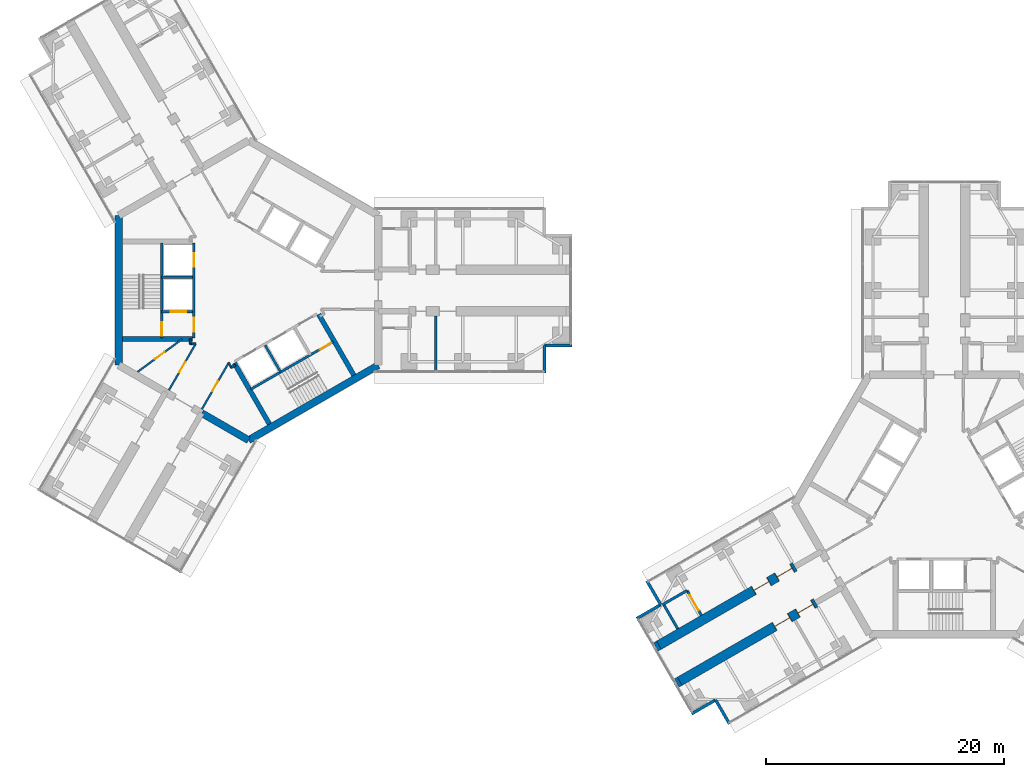
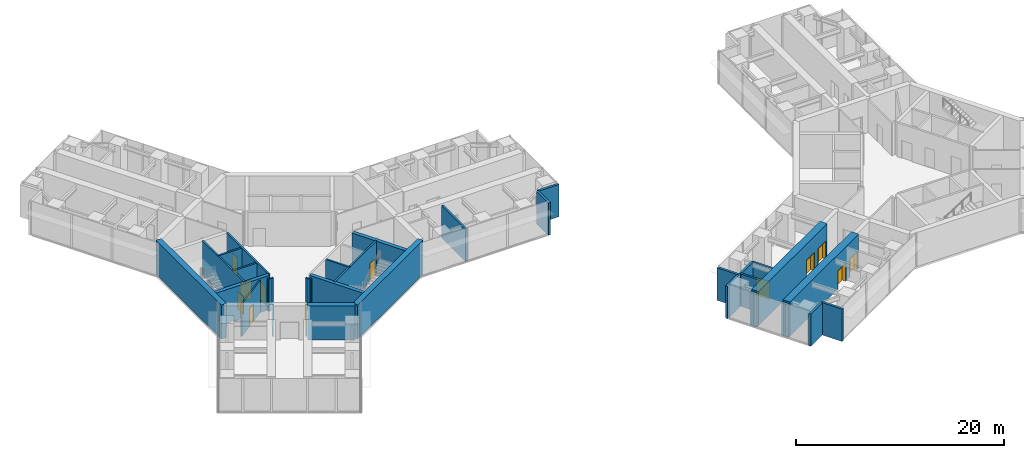
# One storey, part 15 of 21: 33 walls, 13 doors, 13 openings.
"""IFC4 building model written with IfcOpenShell, lengths in metres."""

from ifc_helpers import new_model, si_unit, direction, frame, frame_2d, origin, place, context, subcontext, project, spatial, rectangle, extrude, material, layer, layer_set, type_object, element, fill, save


model = new_model("IFC4")

# Units and contexts
model_context = context("Model", 3, precision=1e-05, world=origin(), true_north=direction((0.0, 1.0)))
body_context = subcontext(model_context, "Body", "Model", "MODEL_VIEW")
ifc_project = project(units=[si_unit("LENGTHUNIT", "METRE"), si_unit("AREAUNIT", "SQUARE_METRE"), si_unit("VOLUMEUNIT", "CUBIC_METRE"), si_unit("PLANEANGLEUNIT", "RADIAN"), si_unit("MASSUNIT", "GRAM", prefix="KILO")], contexts=[model_context])

# Site, building, storey
site_placement = place(None, origin())
site = spatial("IfcSite", under=ifc_project, at=site_placement, CompositionType="ELEMENT")
building_placement = place(site_placement, origin())
building = spatial("IfcBuilding", under=site, at=building_placement, Name="Upepo Twin Towers", CompositionType="ELEMENT")
storey_placement = place(building_placement, frame((0.0, 0.0, 105.5)))
storey = spatial("IfcBuildingStorey", under=building, at=storey_placement, Name="L25", CompositionType="ELEMENT", Elevation=105.5)

# Walls
ifc_material_1 = material(Name="Concrete blockwork, plastered both faces", Category="masonry")
ifc_layer_1 = layer(ifc_material_1, 0.215087890625)
ifc_layer_set_1 = layer_set([ifc_layer_1], Name="Blockwork partition 215")
wall_type_1 = type_object("IfcWallType", Name="Blockwork partition 215", PredefinedType="PARTITIONING", material=ifc_layer_set_1)
wall_1_placement = place(storey_placement, frame((15.75, -2.14990234375, 0.0), z_axis=(0.0, 0.0, 1.0), x_axis=(0.0, -1.0, 0.0)))
element("IfcWall", 1, at=wall_1_placement, inside=storey, type_object=wall_type_1, Name="T1 partition AR at 15.75", PredefinedType="PARTITIONING", context=body_context, shape_type="SweptSolid", body=[
    extrude(rectangle(XDim=4.60009765625, YDim=0.215087890625, at=frame_2d((2.300048828125, 0.0))), origin(), (0.0, 0.0, 1.0), 3.800048828125),
])
wall_2_placement = place(storey_placement, frame((36.869384765625, -25.234619140625, 0.0), z_axis=(0.0, 0.0, 1.0), x_axis=(-0.866050077142, -0.499957262057, 0.0)))
element("IfcWall", 2, at=wall_2_placement, inside=storey, type_object=wall_type_1, Name="T2 inner room partition BR at 22.35", PredefinedType="PARTITIONING", context=body_context, shape_type="SweptSolid", body=[
    extrude(rectangle(XDim=2.400146484375, YDim=0.215087890625, at=frame_2d((1.2001953125, 0.0))), origin(), (0.0, 0.0, 1.0), 3.800048828125),
])

# Wall, opening, door
wall_3_placement = place(storey_placement, frame((38.0693359375, -27.31298828125, 0.0), z_axis=(0.0, 0.0, 1.0), x_axis=(-0.500001309137, 0.866024647952, 0.0)))
wall_3 = element("IfcWall", 3, at=wall_3_placement, inside=storey, type_object=wall_type_1, Name="T2 inner room partition BR end at 22.35", PredefinedType="PARTITIONING", context=body_context, shape_type="SweptSolid", body=[
    extrude(rectangle(XDim=2.39990234375, YDim=0.215087890625, at=frame_2d((1.199951171875, 0.0))), origin(), (0.0, 0.0, 1.0), 3.800048828125),
])
opening_1_placement = place(wall_3_placement, frame((0.449951171875, 0.0, 0.0)))
opening_1 = element("IfcOpeningElement", 4, at=opening_1_placement, cuts=wall_3, Name="Opening D13", PredefinedType="OPENING", context=body_context, shape_type="SweptSolid", body=[
    extrude(rectangle(XDim=1.5, YDim=2.10009765625, at=frame_2d((0.75, 1.050048828125))), frame((0.0, 0.117431640625, 0.0), z_axis=(0.0, -1.0, 0.0), x_axis=(1.0, 0.0, 0.0)), (0.0, 0.0, 1.0), 0.235107421875),
])
ifc_material_2 = material(Name="Timber doorset", Category="wood")
door_type_1 = type_object("IfcDoorType", Name="Double door 1500 FD30", OperationType="DOUBLE_DOOR_SINGLE_SWING", PredefinedType="DOOR", material=ifc_material_2)
door_1_placement = place(opening_1_placement, origin())
door_1 = element("IfcDoor", 5, at=door_1_placement, inside=storey, type_object=door_type_1, Name="T2 L25 inner room door", OperationType="DOUBLE_DOOR_SINGLE_SWING", OverallHeight=2.10009765625, OverallWidth=1.5, PredefinedType="DOOR", context=body_context, shape_type="SweptSolid", body=[
    extrude(rectangle(XDim=1.5, YDim=2.10009765625, at=frame_2d((0.75, 1.050048828125))), frame((0.0, 0.02490234375, 0.0), z_axis=(0.0, -1.0, 0.0), x_axis=(1.0, 0.0, 0.0)), (0.0, 0.0, 1.0), 0.050048828125),
])
fill(opening_1, door_1)

# Walls
wall_4_placement = place(storey_placement, frame((36.083984375, -28.459228515625, 0.0), z_axis=(0.0, 0.0, 1.0), x_axis=(-0.500001309137, 0.866024647952, 0.0)))
element("IfcWall", 6, at=wall_4_placement, inside=storey, type_object=wall_type_1, Name="T2 inner room partition BR end at 24.75", PredefinedType="PARTITIONING", context=body_context, shape_type="SweptSolid", body=[
    extrude(rectangle(XDim=2.39990234375, YDim=0.215087890625, at=frame_2d((1.199951171875, 0.0))), origin(), (0.0, 0.0, 1.0), 3.800048828125),
])
ifc_material_3 = material(Name="Dense concrete blockwork", Category="masonry")
ifc_layer_2 = layer(ifc_material_3, 0.800048828125)
ifc_layer_set_2 = layer_set([ifc_layer_2], Name="Buttress closer 800, blockwork with fire-stopping to the curtain wall")
wall_type_2 = type_object("IfcWallType", Name="Buttress closer 800, blockwork with fire-stopping to the curtain wall", PredefinedType="PARTITIONING", material=ifc_layer_set_2)
wall_5_placement = place(storey_placement, frame((36.252197265625, -32.865478515625, 0.0), z_axis=(0.0, 0.0, 1.0), x_axis=(-0.865778900179, -0.500426713919, 0.0)))
element("IfcWall", 7, at=wall_5_placement, inside=storey, type_object=wall_type_2, Name="T2 L25 wing B buttress closer L", PredefinedType="PARTITIONING", context=body_context, shape_type="SweptSolid", body=[
    extrude(rectangle(XDim=0.300048828125, YDim=0.800048828125, at=frame_2d((0.14990234375, 0.0))), origin(), (0.0, 0.0, 1.0), 3.800048828125),
])
wall_6_placement = place(storey_placement, frame((34.502197265625, -29.83447265625, 0.0), z_axis=(0.0, 0.0, 1.0), x_axis=(-0.866131372301, -0.499816412211, 0.0)))
element("IfcWall", 8, at=wall_6_placement, inside=storey, type_object=wall_type_2, Name="T2 L25 wing B buttress closer R", PredefinedType="PARTITIONING", context=body_context, shape_type="SweptSolid", body=[
    extrude(rectangle(XDim=0.2998046875, YDim=0.800048828125, at=frame_2d((0.14990234375, 0.0))), origin(), (0.0, 0.0, 1.0), 3.800048828125),
])

# Wall, openings, doors
ifc_material_4 = material(Name="Concrete C60/75", Category="concrete")
ifc_layer_3 = layer(ifc_material_4, 0.800048828125)
ifc_layer_set_3 = layer_set([ifc_layer_3], Name="Concrete C60/75")
wall_type_3 = type_object("IfcWallType", Name="Buttress wall 800 RC", PredefinedType="SHEAR", material=ifc_layer_set_3)
wall_7_placement = place(storey_placement, frame((47.68359375, -26.265625, 0.0), z_axis=(0.0, 0.0, 1.0), x_axis=(-0.866027579429, -0.499996231654, 0.0)))
wall_7 = element("IfcWall", 9, at=wall_7_placement, inside=storey, type_object=wall_type_3, Name="T2 wing B buttress wall L part 2", PredefinedType="SHEAR", context=body_context, shape_type="SweptSolid", body=[
    extrude(rectangle(XDim=13.19970703125, YDim=0.800048828125, at=frame_2d((6.599853515625, 0.0))), origin(), (0.0, 0.0, 1.0), 4.0),
])
opening_2_placement = place(wall_7_placement, frame((0.25, 0.0, 0.0)))
opening_2 = element("IfcOpeningElement", 10, at=opening_2_placement, cuts=wall_7, Name="Opening D13", PredefinedType="OPENING", context=body_context, shape_type="SweptSolid", body=[
    extrude(rectangle(XDim=1.5, YDim=2.10009765625, at=frame_2d((0.75, 1.050048828125))), frame((0.0, 0.409912109375, 0.0), z_axis=(0.0, -1.0, 0.0), x_axis=(1.0, 0.0, 0.0)), (0.0, 0.0, 1.0), 0.820068359375),
])
opening_3_placement = place(wall_7_placement, frame((2.5, 0.0, 0.0)))
opening_3 = element("IfcOpeningElement", 11, at=opening_3_placement, cuts=wall_7, Name="Opening D13", PredefinedType="OPENING", context=body_context, shape_type="SweptSolid", body=[
    extrude(rectangle(XDim=1.5, YDim=2.10009765625, at=frame_2d((0.75, 1.050048828125))), frame((0.0, 0.409912109375, 0.0), z_axis=(0.0, -1.0, 0.0), x_axis=(1.0, 0.0, 0.0)), (0.0, 0.0, 1.0), 0.820068359375),
])
door_2_placement = place(opening_2_placement, origin())
door_2 = element("IfcDoor", 12, at=door_2_placement, inside=storey, type_object=door_type_1, Name="T2 L25 tutorial room door", OperationType="DOUBLE_DOOR_SINGLE_SWING", OverallHeight=2.10009765625, OverallWidth=1.5, PredefinedType="DOOR", context=body_context, shape_type="SweptSolid", body=[
    extrude(rectangle(XDim=1.42, YDim=2.06009765625, at=frame_2d((0.75, 1.030029296875))), frame((0.0, 0.02490234375, 0.0), z_axis=(0.0, -1.0, 0.0), x_axis=(1.0, 0.0, 0.0)), (0.0, 0.0, 1.0), 0.050048828125),
    extrude(rectangle(XDim=0.04, YDim=2.10009765625, at=frame_2d((0.02001953125, 1.050048828125))), frame((0.0, 0.39990234375, 0.0), z_axis=(0.0, -1.0, 0.0), x_axis=(1.0, 0.0, 0.0)), (0.0, 0.0, 1.0), 0.799560546875),
    extrude(rectangle(XDim=0.04, YDim=2.10009765625, at=frame_2d((1.47998046875, 1.050048828125))), frame((0.0, 0.39990234375, 0.0), z_axis=(0.0, -1.0, 0.0), x_axis=(1.0, 0.0, 0.0)), (0.0, 0.0, 1.0), 0.799560546875),
    extrude(rectangle(XDim=1.42, YDim=0.04, at=frame_2d((0.75, 2.080078125))), frame((0.0, 0.39990234375, 0.0), z_axis=(0.0, -1.0, 0.0), x_axis=(1.0, 0.0, 0.0)), (0.0, 0.0, 1.0), 0.799560546875),
])
fill(opening_2, door_2)
door_3_placement = place(opening_3_placement, origin())
door_3 = element("IfcDoor", 13, at=door_3_placement, inside=storey, type_object=door_type_1, Name="T2 L25 moot court door", OperationType="DOUBLE_DOOR_SINGLE_SWING", OverallHeight=2.10009765625, OverallWidth=1.5, PredefinedType="DOOR", context=body_context, shape_type="SweptSolid", body=[
    extrude(rectangle(XDim=1.42, YDim=2.06009765625, at=frame_2d((0.75, 1.030029296875))), frame((0.0, 0.02490234375, 0.0), z_axis=(0.0, -1.0, 0.0), x_axis=(1.0, 0.0, 0.0)), (0.0, 0.0, 1.0), 0.050048828125),
    extrude(rectangle(XDim=0.04, YDim=2.10009765625, at=frame_2d((0.02001953125, 1.050048828125))), frame((0.0, 0.39990234375, 0.0), z_axis=(0.0, -1.0, 0.0), x_axis=(1.0, 0.0, 0.0)), (0.0, 0.0, 1.0), 0.799560546875),
    extrude(rectangle(XDim=0.04, YDim=2.10009765625, at=frame_2d((1.47998046875, 1.050048828125))), frame((0.0, 0.39990234375, 0.0), z_axis=(0.0, -1.0, 0.0), x_axis=(1.0, 0.0, 0.0)), (0.0, 0.0, 1.0), 0.799560546875),
    extrude(rectangle(XDim=1.42, YDim=0.04, at=frame_2d((0.75, 2.080078125))), frame((0.0, 0.39990234375, 0.0), z_axis=(0.0, -1.0, 0.0), x_axis=(1.0, 0.0, 0.0)), (0.0, 0.0, 1.0), 0.799560546875),
])
fill(opening_3, door_3)

wall_8_placement = place(storey_placement, frame((45.93359375, -23.234375, 0.0), z_axis=(0.0, 0.0, 1.0), x_axis=(-0.866019570528, -0.500010103361, 0.0)))
wall_8 = element("IfcWall", 14, at=wall_8_placement, inside=storey, type_object=wall_type_3, Name="T2 wing B buttress wall R part 2", PredefinedType="SHEAR", context=body_context, shape_type="SweptSolid", body=[
    extrude(rectangle(XDim=13.199951171875, YDim=0.800048828125, at=frame_2d((6.60009765625, 0.0))), origin(), (0.0, 0.0, 1.0), 4.0),
])
opening_4_placement = place(wall_8_placement, frame((0.25, 0.0, 0.0)))
opening_4 = element("IfcOpeningElement", 15, at=opening_4_placement, cuts=wall_8, Name="Opening D13", PredefinedType="OPENING", context=body_context, shape_type="SweptSolid", body=[
    extrude(rectangle(XDim=1.5, YDim=2.10009765625, at=frame_2d((0.75, 1.050048828125))), frame((0.0, 0.409912109375, 0.0), z_axis=(0.0, -1.0, 0.0), x_axis=(1.0, 0.0, 0.0)), (0.0, 0.0, 1.0), 0.820068359375),
])
opening_5_placement = place(wall_8_placement, frame((2.5, 0.0, 0.0)))
opening_5 = element("IfcOpeningElement", 16, at=opening_5_placement, cuts=wall_8, Name="Opening D13", PredefinedType="OPENING", context=body_context, shape_type="SweptSolid", body=[
    extrude(rectangle(XDim=1.5, YDim=2.10009765625, at=frame_2d((0.75, 1.050048828125))), frame((0.0, 0.409912109375, 0.0), z_axis=(0.0, -1.0, 0.0), x_axis=(1.0, 0.0, 0.0)), (0.0, 0.0, 1.0), 0.820068359375),
])
door_4_placement = place(opening_4_placement, origin())
door_4 = element("IfcDoor", 17, at=door_4_placement, inside=storey, type_object=door_type_1, Name="T2 L25 moot court door", OperationType="DOUBLE_DOOR_SINGLE_SWING", OverallHeight=2.10009765625, OverallWidth=1.5, PredefinedType="DOOR", context=body_context, shape_type="SweptSolid", body=[
    extrude(rectangle(XDim=1.42, YDim=2.06009765625, at=frame_2d((0.75, 1.030029296875))), frame((0.0, 0.02490234375, 0.0), z_axis=(0.0, -1.0, 0.0), x_axis=(1.0, 0.0, 0.0)), (0.0, 0.0, 1.0), 0.050048828125),
    extrude(rectangle(XDim=0.04, YDim=2.10009765625, at=frame_2d((0.02001953125, 1.050048828125))), frame((0.0, 0.39990234375, 0.0), z_axis=(0.0, -1.0, 0.0), x_axis=(1.0, 0.0, 0.0)), (0.0, 0.0, 1.0), 0.799560546875),
    extrude(rectangle(XDim=0.04, YDim=2.10009765625, at=frame_2d((1.47998046875, 1.050048828125))), frame((0.0, 0.39990234375, 0.0), z_axis=(0.0, -1.0, 0.0), x_axis=(1.0, 0.0, 0.0)), (0.0, 0.0, 1.0), 0.799560546875),
    extrude(rectangle(XDim=1.42, YDim=0.04, at=frame_2d((0.75, 2.080078125))), frame((0.0, 0.39990234375, 0.0), z_axis=(0.0, -1.0, 0.0), x_axis=(1.0, 0.0, 0.0)), (0.0, 0.0, 1.0), 0.799560546875),
])
fill(opening_4, door_4)
door_5_placement = place(opening_5_placement, origin())
door_5 = element("IfcDoor", 18, at=door_5_placement, inside=storey, type_object=door_type_1, Name="T2 L25 moot court door", OperationType="DOUBLE_DOOR_SINGLE_SWING", OverallHeight=2.10009765625, OverallWidth=1.5, PredefinedType="DOOR", context=body_context, shape_type="SweptSolid", body=[
    extrude(rectangle(XDim=1.42, YDim=2.06009765625, at=frame_2d((0.75, 1.030029296875))), frame((0.0, 0.02490234375, 0.0), z_axis=(0.0, -1.0, 0.0), x_axis=(1.0, 0.0, 0.0)), (0.0, 0.0, 1.0), 0.050048828125),
    extrude(rectangle(XDim=0.04, YDim=2.10009765625, at=frame_2d((0.02001953125, 1.050048828125))), frame((0.0, 0.39990234375, 0.0), z_axis=(0.0, -1.0, 0.0), x_axis=(1.0, 0.0, 0.0)), (0.0, 0.0, 1.0), 0.799560546875),
    extrude(rectangle(XDim=0.04, YDim=2.10009765625, at=frame_2d((1.47998046875, 1.050048828125))), frame((0.0, 0.39990234375, 0.0), z_axis=(0.0, -1.0, 0.0), x_axis=(1.0, 0.0, 0.0)), (0.0, 0.0, 1.0), 0.799560546875),
    extrude(rectangle(XDim=1.42, YDim=0.04, at=frame_2d((0.75, 2.080078125))), frame((0.0, 0.39990234375, 0.0), z_axis=(0.0, -1.0, 0.0), x_axis=(1.0, 0.0, 0.0)), (0.0, 0.0, 1.0), 0.799560546875),
])
fill(opening_5, door_5)

# Walls
ifc_material_5 = material(Name="Concrete C60/75", Category="concrete")
ifc_layer_4 = layer(ifc_material_5, 0.60009765625)
ifc_layer_set_4 = layer_set([ifc_layer_4], Name="Concrete C60/75")
wall_type_4 = type_object("IfcWallType", Name="Core wall 600 RC", PredefinedType="SHEAR", material=ifc_layer_set_4)
wall_9_placement = place(storey_placement, frame((-10.908447265625, 6.2978515625, 0.0), z_axis=(0.0, 0.0, 1.0), x_axis=(0.0, -1.0, 0.0)))
element("IfcWall", 19, at=wall_9_placement, inside=storey, type_object=wall_type_4, Name="T1 core wall 180", PredefinedType="SHEAR", context=body_context, shape_type="SweptSolid", body=[
    extrude(rectangle(XDim=12.595703125, YDim=0.60009765625, at=frame_2d((6.2978515625, 0.0))), origin(), (0.0, 0.0, 1.0), 4.0),
])
wall_10_placement = place(storey_placement, frame((-3.938720703125, -10.32177734375, 0.0), z_axis=(0.0, 0.0, 1.0), x_axis=(0.866011268655, -0.500024481964, 0.0)))
element("IfcWall", 20, at=wall_10_placement, inside=storey, type_object=wall_type_4, Name="T1 core wall 240 L", PredefinedType="SHEAR", context=body_context, shape_type="SweptSolid", body=[
    extrude(rectangle(XDim=4.548095703125, YDim=0.60009765625, at=frame_2d((2.27392578125, 0.0))), origin(), (0.0, 0.0, 1.0), 4.0),
])
wall_11_placement = place(storey_placement, frame((0.0, -12.595947265625, 0.0), z_axis=(0.0, 0.0, 1.0), x_axis=(0.866021940709, 0.500005998175, 0.0)))
element("IfcWall", 21, at=wall_11_placement, inside=storey, type_object=wall_type_4, Name="T1 core wall 300", PredefinedType="SHEAR", context=body_context, shape_type="SweptSolid", body=[
    extrude(rectangle(XDim=12.595947265625, YDim=0.60009765625, at=frame_2d((6.2978515625, 0.0))), origin(), (0.0, 0.0, 1.0), 4.0),
])
ifc_material_6 = material(Name="Blockwork with anodised aluminium cladding", Category="masonry")
ifc_layer_5 = layer(ifc_material_6, 0.25)
ifc_layer_set_5 = layer_set([ifc_layer_5], Name="Notch cladding wall 250, pale metal")
wall_type_5 = type_object("IfcWallType", Name="Notch cladding wall 250, pale metal", PredefinedType="STANDARD", material=ifc_layer_set_5)
for number, where, z_axis, x_axis, name in (
    (22, (24.875, -6.949951171875, 0.0), (0.0, 0.0, 1.0), (0.0, 1.0, 0.0), "T1 L25 wing A notch wall R1"),
    (23, (24.875, -4.625, 0.0), (0.0, 0.0, 1.0), (1.0, 0.0, 0.0), "T1 L25 wing A notch wall R2"),
    (24, (40.4326171875, -36.456298828125, 0.0), (0.0, 0.0, 1.0), (-0.500046648681, 0.865998469481, 0.0), "T2 L25 wing B notch wall L1"),
    (25, (39.27001953125, -34.44287109375, 0.0), (0.0, 0.0, 1.0), (-0.865998469481, -0.500046648681, 0.0), "T2 L25 wing B notch wall L2"),
    (26, (33.482666015625, -24.418701171875, 0.0), (0.0, 0.0, 1.0), (0.499967891604, -0.866043940782, 0.0), "T2 L25 wing B notch wall R1"),
    (27, (34.64501953125, -26.43212890625, 0.0), (0.0, 0.0, 1.0), (-0.865998469481, -0.500046648681, 0.0), "T2 L25 wing B notch wall R2"),
):
    element("IfcWall", number, at=place(storey_placement, frame(where, z_axis=z_axis, x_axis=x_axis)), inside=storey, type_object=wall_type_5, Name=name, PredefinedType="STANDARD", context=body_context, shape_type="SweptSolid", body=[
        extrude(rectangle(XDim=2.324951171875, YDim=0.25, at=frame_2d((1.16259765625, 0.0))), origin(), (0.0, 0.0, 1.0), 3.800048828125),
    ])

# Wall, openings, doors
ifc_material_7 = material(Name="Concrete C40/50", Category="concrete")
ifc_layer_6 = layer(ifc_material_7, 0.199951171875)
ifc_layer_set_6 = layer_set([ifc_layer_6], Name="Concrete C40/50")
wall_type_6 = type_object("IfcWallType", Name="Shaft wall 200 RC", PredefinedType="SHEAR", material=ifc_layer_set_6)
wall_12_placement = place(storey_placement, frame((-4.60009765625, 4.0, 0.0), z_axis=(0.0, 0.0, 1.0), x_axis=(0.0, -1.0, 0.0)))
wall_12 = element("IfcWall", 28, at=wall_12_placement, inside=storey, type_object=wall_type_6, Name="T1 core W180 front wall", PredefinedType="SHEAR", context=body_context, shape_type="SweptSolid", body=[
    extrude(rectangle(XDim=8.0, YDim=0.199951171875, at=frame_2d((4.0, 0.0))), origin(), (0.0, 0.0, 1.0), 4.0),
])
opening_6_placement = place(wall_12_placement, frame((6.300048828125, 0.0, 0.0)))
opening_6 = element("IfcOpeningElement", 29, at=opening_6_placement, cuts=wall_12, Name="Opening D4", PredefinedType="OPENING", context=body_context, shape_type="SweptSolid", body=[
    extrude(rectangle(XDim=1.199951171875, YDim=2.10009765625, at=frame_2d((0.60009765625, 1.050048828125))), frame((0.0, 0.10986328125, 0.0), z_axis=(0.0, -1.0, 0.0), x_axis=(1.0, 0.0, 0.0)), (0.0, 0.0, 1.0), 0.219970703125),
])
opening_7_placement = place(wall_12_placement, frame((0.89990234375, 0.0, 0.0)))
opening_7 = element("IfcOpeningElement", 30, at=opening_7_placement, cuts=wall_12, Name="Opening LD1", PredefinedType="OPENING", context=body_context, shape_type="SweptSolid", body=[
    extrude(rectangle(XDim=1.10009765625, YDim=2.199951171875, at=frame_2d((0.550048828125, 1.10009765625))), frame((0.0, 0.10986328125, 0.0), z_axis=(0.0, -1.0, 0.0), x_axis=(1.0, 0.0, 0.0)), (0.0, 0.0, 1.0), 0.219970703125),
])
ifc_material_8 = material(Name="Steel doorset", Category="steel")
door_type_2 = type_object("IfcDoorType", Name="Lift landing door 1100", OperationType="DOUBLE_DOOR_SLIDING", PredefinedType="DOOR", material=ifc_material_8)
door_6_placement = place(opening_7_placement, origin())
door_6 = element("IfcDoor", 31, at=door_6_placement, inside=storey, type_object=door_type_2, Name="T1 L25 lift SV1 landing door", OperationType="DOUBLE_DOOR_SLIDING", OverallHeight=2.199951171875, OverallWidth=1.10009765625, PredefinedType="DOOR", context=body_context, shape_type="SweptSolid", body=[
    extrude(rectangle(XDim=1.10009765625, YDim=2.199951171875, at=frame_2d((0.550048828125, 1.10009765625))), frame((0.0, 0.02490234375, 0.0), z_axis=(0.0, -1.0, 0.0), x_axis=(1.0, 0.0, 0.0)), (0.0, 0.0, 1.0), 0.050048828125),
])
fill(opening_7, door_6)
ifc_material_9 = material(Name="Timber doorset", Category="wood")
door_type_3 = type_object("IfcDoorType", Name="Lobby door 1200 FD60", OperationType="SINGLE_SWING_LEFT", PredefinedType="DOOR", material=ifc_material_9)
door_7_placement = place(opening_6_placement, origin())
door_7 = element("IfcDoor", 32, at=door_7_placement, inside=storey, type_object=door_type_3, Name="T1 L25 W180 lobby door", OperationType="SINGLE_SWING_RIGHT", OverallHeight=2.10009765625, OverallWidth=1.199951171875, PredefinedType="DOOR", context=body_context, shape_type="SweptSolid", body=[
    extrude(rectangle(XDim=1.199951171875, YDim=2.10009765625, at=frame_2d((0.60009765625, 1.050048828125))), frame((0.0, 0.02490234375, 0.0), z_axis=(0.0, -1.0, 0.0), x_axis=(1.0, 0.0, 0.0)), (0.0, 0.0, 1.0), 0.050048828125),
])
fill(opening_6, door_7)

# Wall
wall_13_placement = place(storey_placement, frame((-4.699951171875, 1.10009765625, 0.0), z_axis=(0.0, 0.0, 1.0), x_axis=(-1.0, 0.0, 0.0)))
element("IfcWall", 33, at=wall_13_placement, inside=storey, type_object=wall_type_6, Name="T1 core W180 shaft divider", PredefinedType="SHEAR", context=body_context, shape_type="SweptSolid", body=[
    extrude(rectangle(XDim=2.60009765625, YDim=0.199951171875, at=frame_2d((1.300048828125, 0.0))), origin(), (0.0, 0.0, 1.0), 4.0),
])

# Wall, opening, door
wall_14_placement = place(storey_placement, frame((-4.699951171875, -1.800048828125, 0.0), z_axis=(0.0, 0.0, 1.0), x_axis=(-1.0, 0.0, 0.0)))
wall_14 = element("IfcWall", 34, at=wall_14_placement, inside=storey, type_object=wall_type_6, Name="T1 core W180 lobby wall", PredefinedType="SHEAR", context=body_context, shape_type="SweptSolid", body=[
    extrude(rectangle(XDim=2.60009765625, YDim=0.199951171875, at=frame_2d((1.300048828125, 0.0))), origin(), (0.0, 0.0, 1.0), 4.0),
])
opening_8_placement = place(wall_14_placement, frame((0.550048828125, 0.0, 0.0)))
opening_8 = element("IfcOpeningElement", 35, at=opening_8_placement, cuts=wall_14, Name="Opening LD2", PredefinedType="OPENING", context=body_context, shape_type="SweptSolid", body=[
    extrude(rectangle(XDim=1.300048828125, YDim=2.199951171875, at=frame_2d((0.64990234375, 1.10009765625))), frame((0.0, 0.10986328125, 0.0), z_axis=(0.0, -1.0, 0.0), x_axis=(1.0, 0.0, 0.0)), (0.0, 0.0, 1.0), 0.219970703125),
])
ifc_material_10 = material(Name="Steel doorset", Category="steel")
door_type_4 = type_object("IfcDoorType", Name="Firefighting lift landing door 1300", OperationType="DOUBLE_DOOR_SLIDING", PredefinedType="DOOR", material=ifc_material_10)
door_8_placement = place(opening_8_placement, origin())
door_8 = element("IfcDoor", 36, at=door_8_placement, inside=storey, type_object=door_type_4, Name="T1 L25 firefighting lift landing door", OperationType="DOUBLE_DOOR_SLIDING", OverallHeight=2.199951171875, OverallWidth=1.300048828125, PredefinedType="DOOR", context=body_context, shape_type="SweptSolid", body=[
    extrude(rectangle(XDim=1.300048828125, YDim=2.199951171875, at=frame_2d((0.64990234375, 1.10009765625))), frame((0.0, 0.02490234375, 0.0), z_axis=(0.0, -1.0, 0.0), x_axis=(1.0, 0.0, 0.0)), (0.0, 0.0, 1.0), 0.050048828125),
])
fill(opening_8, door_8)

wall_15_placement = place(storey_placement, frame((-7.300048828125, 4.0, 0.0), z_axis=(0.0, 0.0, 1.0), x_axis=(0.0, -1.0, 0.0)))
wall_15 = element("IfcWall", 37, at=wall_15_placement, inside=storey, type_object=wall_type_6, Name="T1 core W180 stair wall", PredefinedType="SHEAR", context=body_context, shape_type="SweptSolid", body=[
    extrude(rectangle(XDim=8.0, YDim=0.199951171875, at=frame_2d((4.0, 0.0))), origin(), (0.0, 0.0, 1.0), 4.0),
])
opening_9_placement = place(wall_15_placement, frame((6.699951171875, 0.0, 0.0)))
opening_9 = element("IfcOpeningElement", 38, at=opening_9_placement, cuts=wall_15, Name="Opening D3", PredefinedType="OPENING", context=body_context, shape_type="SweptSolid", body=[
    extrude(rectangle(XDim=1.10009765625, YDim=2.10009765625, at=frame_2d((0.550048828125, 1.050048828125))), frame((0.0, 0.10986328125, 0.0), z_axis=(0.0, -1.0, 0.0), x_axis=(1.0, 0.0, 0.0)), (0.0, 0.0, 1.0), 0.219970703125),
])
ifc_material_11 = material(Name="Timber doorset", Category="wood")
door_type_5 = type_object("IfcDoorType", Name="Stair door 1100 FD60", OperationType="SINGLE_SWING_LEFT", PredefinedType="DOOR", material=ifc_material_11)
door_9_placement = place(opening_9_placement, origin())
door_9 = element("IfcDoor", 39, at=door_9_placement, inside=storey, type_object=door_type_5, Name="T1 L25 stair door", OperationType="SINGLE_SWING_RIGHT", OverallHeight=2.10009765625, OverallWidth=1.10009765625, PredefinedType="DOOR", context=body_context, shape_type="SweptSolid", body=[
    extrude(rectangle(XDim=1.10009765625, YDim=2.10009765625, at=frame_2d((0.550048828125, 1.050048828125))), frame((0.0, 0.02490234375, 0.0), z_axis=(0.0, -1.0, 0.0), x_axis=(1.0, 0.0, 0.0)), (0.0, 0.0, 1.0), 0.050048828125),
])
fill(opening_9, door_9)

# Wall
wall_16_placement = place(storey_placement, frame((1.3974609375, -4.620361328125, 0.0), z_axis=(0.0, 0.0, 1.0), x_axis=(0.499936506574, -0.866062058628, 0.0)))
element("IfcWall", 40, at=wall_16_placement, inside=storey, type_object=wall_type_6, Name="T1 core W300 shaft divider", PredefinedType="SHEAR", context=body_context, shape_type="SweptSolid", body=[
    extrude(rectangle(XDim=2.599853515625, YDim=0.199951171875, at=frame_2d((1.2998046875, 0.0))), origin(), (0.0, 0.0, 1.0), 4.0),
])

# Wall, opening, door
wall_17_placement = place(storey_placement, frame((0.185791015625, -8.322021484375, 0.0), z_axis=(0.0, 0.0, 1.0), x_axis=(0.866026010844, 0.49999894854, 0.0)))
wall_17 = element("IfcWall", 41, at=wall_17_placement, inside=storey, type_object=wall_type_6, Name="T1 core W300 stair wall", PredefinedType="SHEAR", context=body_context, shape_type="SweptSolid", body=[
    extrude(rectangle(XDim=8.0, YDim=0.199951171875, at=frame_2d((4.0, 0.0))), origin(), (0.0, 0.0, 1.0), 4.0),
])
opening_10_placement = place(wall_17_placement, frame((6.699951171875, 0.0, 0.0)))
opening_10 = element("IfcOpeningElement", 42, at=opening_10_placement, cuts=wall_17, Name="Opening D3", PredefinedType="OPENING", context=body_context, shape_type="SweptSolid", body=[
    extrude(rectangle(XDim=1.10009765625, YDim=2.10009765625, at=frame_2d((0.550048828125, 1.050048828125))), frame((0.0, 0.10986328125, 0.0), z_axis=(0.0, -1.0, 0.0), x_axis=(1.0, 0.0, 0.0)), (0.0, 0.0, 1.0), 0.219970703125),
])
door_10_placement = place(opening_10_placement, origin())
door_10 = element("IfcDoor", 43, at=door_10_placement, inside=storey, type_object=door_type_5, Name="T1 L25 stair door", OperationType="SINGLE_SWING_RIGHT", OverallHeight=2.10009765625, OverallWidth=1.10009765625, PredefinedType="DOOR", context=body_context, shape_type="SweptSolid", body=[
    extrude(rectangle(XDim=1.10009765625, YDim=2.10009765625, at=frame_2d((0.550048828125, 1.050048828125))), frame((0.0, 0.02490234375, 0.0), z_axis=(0.0, -1.0, 0.0), x_axis=(1.0, 0.0, 0.0)), (0.0, 0.0, 1.0), 0.050048828125),
])
fill(opening_10, door_10)

# Walls
ifc_material_12 = material(Name="Concrete C40/50", Category="concrete")
ifc_layer_7 = layer(ifc_material_12, 0.39990234375)
ifc_layer_set_7 = layer_set([ifc_layer_7], Name="Concrete C40/50")
wall_type_7 = type_object("IfcWallType", Name="Shaft wall 400 RC", PredefinedType="SHEAR", material=ifc_layer_set_7)
for number, where, z_axis, x_axis, name in (
    (44, (-4.699951171875, -4.10009765625, 0.0), (0.0, 0.0, 1.0), (-1.0, 0.0, 0.0), "T1 core W180 side wall N"),
    (45, (5.900634765625, -2.020263671875, 0.0), (0.0, 0.0, 1.0), (0.500027676417, -0.866009424208, 0.0), "T1 core W300 side wall N"),
):
    element("IfcWall", number, at=place(storey_placement, frame(where, z_axis=z_axis, x_axis=x_axis)), inside=storey, type_object=wall_type_7, Name=name, PredefinedType="SHEAR", context=body_context, shape_type="SweptSolid", body=[
        extrude(rectangle(XDim=5.908447265625, YDim=0.39990234375, at=frame_2d((2.9541015625, 0.0))), origin(), (0.0, 0.0, 1.0), 4.0),
    ])
wall_18_placement = place(storey_placement, frame((-1.20068359375, -6.120361328125, 0.0), z_axis=(0.0, 0.0, 1.0), x_axis=(0.49999668571, -0.866027317282, 0.0)))
element("IfcWall", 46, at=wall_18_placement, inside=storey, type_object=wall_type_7, Name="T1 core W300 side wall S", PredefinedType="SHEAR", context=body_context, shape_type="SweptSolid", body=[
    extrude(rectangle(XDim=5.908203125, YDim=0.39990234375, at=frame_2d((2.9541015625, 0.0))), origin(), (0.0, 0.0, 1.0), 4.0),
])
ifc_material_13 = material(Name="Gypsum board on steel studs", Category="steel")
ifc_layer_8 = layer(ifc_material_13, 0.14990234375)
ifc_layer_set_8 = layer_set([ifc_layer_8], Name="Teaching partition 150 acoustic")
wall_type_8 = type_object("IfcWallType", Name="Teaching partition 150 acoustic", PredefinedType="PARTITIONING", material=ifc_layer_set_8)
wall_19_placement = place(storey_placement, frame((-1.092041015625, -6.28857421875, 0.0), z_axis=(0.0, 0.0, 1.0), x_axis=(-0.866138304741, -0.499804398801, 0.0)))
element("IfcWall", 47, at=wall_19_placement, inside=storey, type_object=wall_type_8, Name="T1 core room partition 2", PredefinedType="PARTITIONING", context=body_context, shape_type="SweptSolid", body=[
    extrude(rectangle(XDim=0.429931640625, YDim=0.14990234375, at=frame_2d((0.21484375, 0.0))), origin(), (0.0, 0.0, 1.0), 3.800048828125),
])
wall_20_placement = place(storey_placement, frame((-1.43701171875, -6.5107421875, 0.0), z_axis=(0.0, 0.0, 1.0), x_axis=(-0.50033519877, 0.865831790172, 0.0)))
element("IfcWall", 48, at=wall_20_placement, inside=storey, type_object=wall_type_8, Name="T1 core room partition 3", PredefinedType="PARTITIONING", context=body_context, shape_type="SweptSolid", body=[
    extrude(rectangle(XDim=0.494384765625, YDim=0.14990234375, at=frame_2d((0.2470703125, 0.0))), origin(), (0.0, 0.0, 1.0), 3.800048828125),
])

# Wall, opening, door
wall_21_placement = place(storey_placement, frame((-1.664306640625, -6.082763671875, 0.0), z_axis=(0.0, 0.0, 1.0), x_axis=(-0.500032713409, -0.866006515865, 0.0)))
wall_21 = element("IfcWall", 49, at=wall_21_placement, inside=storey, type_object=wall_type_8, Name="T1 core room partition 4", PredefinedType="PARTITIONING", context=body_context, shape_type="SweptSolid", body=[
    extrude(rectangle(XDim=4.518310546875, YDim=0.14990234375, at=frame_2d((2.25927734375, 0.0))), origin(), (0.0, 0.0, 1.0), 3.800048828125),
])
opening_11_placement = place(wall_21_placement, frame((1.769287109375, 0.0, 0.0)))
opening_11 = element("IfcOpeningElement", 50, at=opening_11_placement, cuts=wall_21, Name="Opening D1", PredefinedType="OPENING", context=body_context, shape_type="SweptSolid", body=[
    extrude(rectangle(XDim=1.0, YDim=2.10009765625, at=frame_2d((0.5, 1.050048828125))), frame((0.0, 0.0849609375, 0.0), z_axis=(0.0, -1.0, 0.0), x_axis=(1.0, 0.0, 0.0)), (0.0, 0.0, 1.0), 0.169921875),
])
ifc_material_14 = material(Name="Timber doorset", Category="wood")
door_type_6 = type_object("IfcDoorType", Name="Room door 1000 FD30", OperationType="SINGLE_SWING_LEFT", PredefinedType="DOOR", material=ifc_material_14)
door_11_placement = place(opening_11_placement, origin())
door_11 = element("IfcDoor", 51, at=door_11_placement, inside=storey, type_object=door_type_6, Name="T1 L25 core room door K3", OperationType="SINGLE_SWING_RIGHT", OverallHeight=2.10009765625, OverallWidth=1.0, PredefinedType="DOOR", context=body_context, shape_type="SweptSolid", body=[
    extrude(rectangle(XDim=1.0, YDim=2.10009765625, at=frame_2d((0.5, 1.050048828125))), frame((0.0, 0.02490234375, 0.0), z_axis=(0.0, -1.0, 0.0), x_axis=(1.0, 0.0, 0.0)), (0.0, 0.0, 1.0), 0.050048828125),
])
fill(opening_11, door_11)

wall_22_placement = place(storey_placement, frame((-6.69482421875, -8.395751953125, 0.0), z_axis=(0.0, 0.0, 1.0), x_axis=(0.500009315796, 0.86602002524, 0.0)))
wall_22 = element("IfcWall", 52, at=wall_22_placement, inside=storey, type_object=wall_type_8, Name="T1 core room partition 5", PredefinedType="PARTITIONING", context=body_context, shape_type="SweptSolid", body=[
    extrude(rectangle(XDim=4.5185546875, YDim=0.14990234375, at=frame_2d((2.25927734375, 0.0))), origin(), (0.0, 0.0, 1.0), 3.800048828125),
])
opening_12_placement = place(wall_22_placement, frame((1.7490234375, 0.0, 0.0)))
opening_12 = element("IfcOpeningElement", 53, at=opening_12_placement, cuts=wall_22, Name="Opening D1", PredefinedType="OPENING", context=body_context, shape_type="SweptSolid", body=[
    extrude(rectangle(XDim=1.0, YDim=2.10009765625, at=frame_2d((0.5, 1.050048828125))), frame((0.0, 0.0849609375, 0.0), z_axis=(0.0, -1.0, 0.0), x_axis=(1.0, 0.0, 0.0)), (0.0, 0.0, 1.0), 0.169921875),
])
door_12_placement = place(opening_12_placement, origin())
door_12 = element("IfcDoor", 54, at=door_12_placement, inside=storey, type_object=door_type_6, Name="T1 L25 core room door K2", OperationType="SINGLE_SWING_LEFT", OverallHeight=2.10009765625, OverallWidth=1.0, PredefinedType="DOOR", context=body_context, shape_type="SweptSolid", body=[
    extrude(rectangle(XDim=1.0, YDim=2.10009765625, at=frame_2d((0.5, 1.050048828125))), frame((0.0, 0.02490234375, 0.0), z_axis=(0.0, -1.0, 0.0), x_axis=(1.0, 0.0, 0.0)), (0.0, 0.0, 1.0), 0.050048828125),
])
fill(opening_12, door_12)

# Walls
wall_23_placement = place(storey_placement, frame((-4.425537109375, -4.5, 0.0), z_axis=(0.0, 0.0, 1.0), x_axis=(-1.0, 0.0, 0.0)))
element("IfcWall", 55, at=wall_23_placement, inside=storey, type_object=wall_type_8, Name="T1 core room partition 6", PredefinedType="PARTITIONING", context=body_context, shape_type="SweptSolid", body=[
    extrude(rectangle(XDim=0.494384765625, YDim=0.14990234375, at=frame_2d((0.2470703125, 0.0))), origin(), (0.0, 0.0, 1.0), 3.800048828125),
])
wall_24_placement = place(storey_placement, frame((-4.89990234375, -4.52001953125, 0.0), z_axis=(0.0, 0.0, 1.0), x_axis=(0.0, 1.0, 0.0)))
element("IfcWall", 56, at=wall_24_placement, inside=storey, type_object=wall_type_8, Name="T1 core room partition 7", PredefinedType="PARTITIONING", context=body_context, shape_type="SweptSolid", body=[
    extrude(rectangle(XDim=0.429931640625, YDim=0.14990234375, at=frame_2d((0.21484375, 0.0))), origin(), (0.0, 0.0, 1.0), 3.800048828125),
])

# Wall, opening, door
wall_25_placement = place(storey_placement, frame((-5.578369140625, -4.10009765625, 0.0), z_axis=(0.0, 0.0, 1.0), x_axis=(-0.805776726519, -0.592219441593, 0.0)))
wall_25 = element("IfcWall", 57, at=wall_25_placement, inside=storey, type_object=wall_type_8, Name="T1 core room partition 19", PredefinedType="PARTITIONING", context=body_context, shape_type="SweptSolid", body=[
    extrude(rectangle(XDim=4.660888671875, YDim=0.14990234375, at=frame_2d((2.33056640625, 0.0))), origin(), (0.0, 0.0, 1.0), 3.800048828125),
])
opening_13_placement = place(wall_25_placement, frame((1.83056640625, 0.0, 0.0)))
opening_13 = element("IfcOpeningElement", 58, at=opening_13_placement, cuts=wall_25, Name="Opening D1", PredefinedType="OPENING", context=body_context, shape_type="SweptSolid", body=[
    extrude(rectangle(XDim=1.0, YDim=2.10009765625, at=frame_2d((0.5, 1.050048828125))), frame((0.0, 0.0849609375, 0.0), z_axis=(0.0, -1.0, 0.0), x_axis=(1.0, 0.0, 0.0)), (0.0, 0.0, 1.0), 0.169921875),
])
door_13_placement = place(opening_13_placement, origin())
door_13 = element("IfcDoor", 59, at=door_13_placement, inside=storey, type_object=door_type_6, Name="T1 L25 core room door K1", OperationType="SINGLE_SWING_LEFT", OverallHeight=2.10009765625, OverallWidth=1.0, PredefinedType="DOOR", context=body_context, shape_type="SweptSolid", body=[
    extrude(rectangle(XDim=1.0, YDim=2.10009765625, at=frame_2d((0.5, 1.050048828125))), frame((0.0, 0.02490234375, 0.0), z_axis=(0.0, -1.0, 0.0), x_axis=(1.0, 0.0, 0.0)), (0.0, 0.0, 1.0), 0.050048828125),
])
fill(opening_13, door_13)

save(model, "model.ifc")
